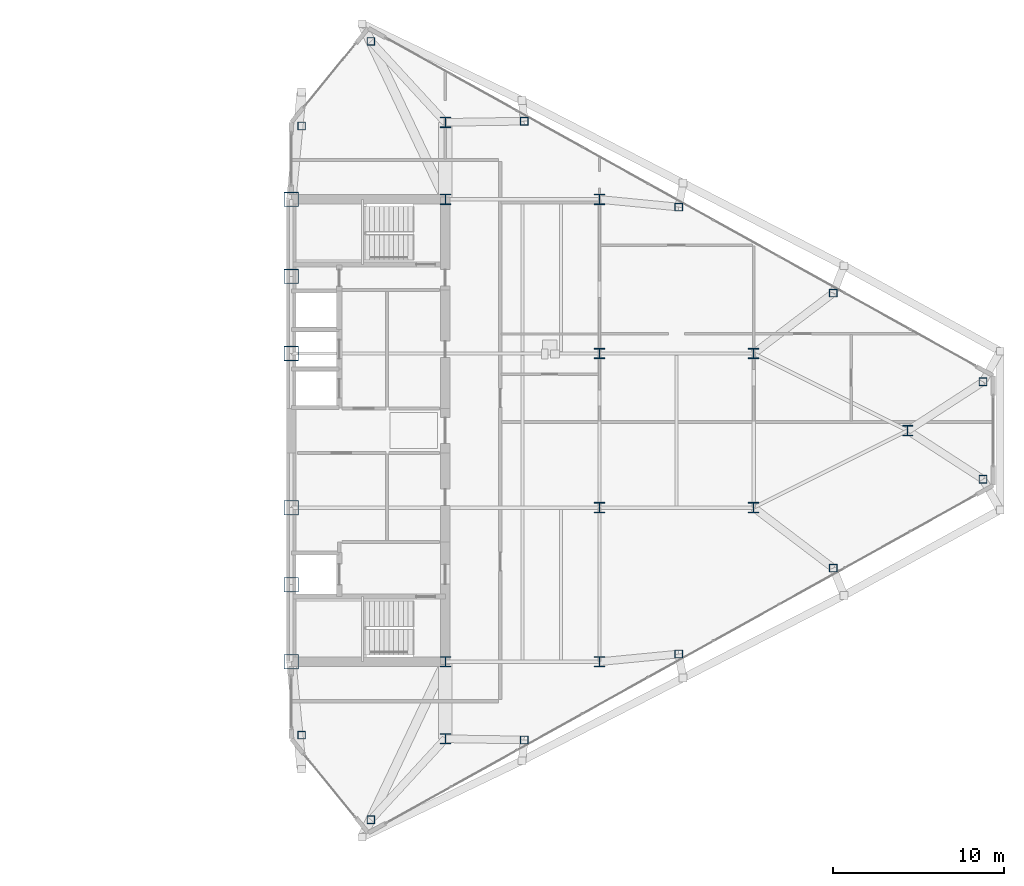
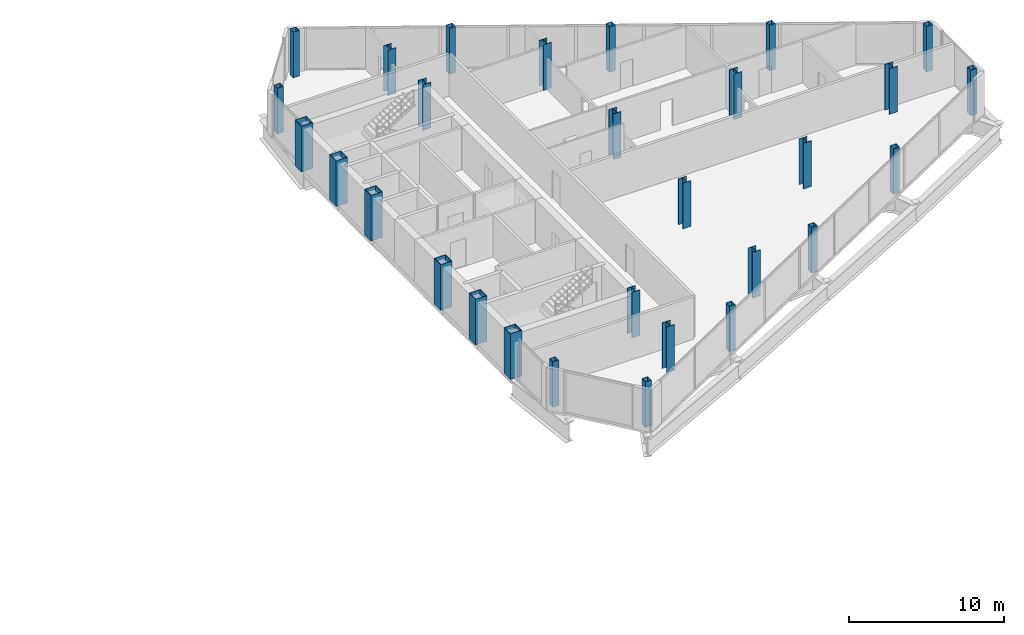
# One storey, part 2 of 28: 29 columns.
"""IFC4 building model written with IfcOpenShell, lengths in metres."""

import ifcopenshell
import ifcopenshell.guid

model = None  # the IFC model being written
_history = None  # IfcOwnerHistory: only IFC2X3 demands one
_inside = {}  # id of a spatial element -> (the spatial element, [elements in it])
_under = {}  # id of a project, library or spatial element -> (it, [spatial elements below it])
_declared = {}  # id of a project -> (the project, [libraries it declares])
_typed = {}  # id of a type object -> (the type object, [elements of that type])
_made_of = {}  # id of a material, layer set ... -> (it, [elements and type objects made of it])


def new_model(schema):
    """Start an empty IFC model of exactly this schema.

    Asked for "IFC4X3", IfcOpenShell would pick the latest addendum, in which some entities
    have other attributes; the version numbers below select the first issue.
    IFC2X3 requires an IfcOwnerHistory on every rooted entity: one is made here for all.
    """
    global model, _history
    if schema == "IFC4X3":
        model = ifcopenshell.file(schema_version=(4, 3, 0, 0))
    else:
        model = ifcopenshell.file(schema=schema)
    _inside.clear()
    _under.clear()
    _declared.clear()
    _typed.clear()
    _made_of.clear()
    _history = None
    if model.schema == "IFC2X3":
        org = make("IfcOrganization", Name="unknown")
        user = make(
            "IfcPersonAndOrganization",
            ThePerson=make("IfcPerson", FamilyName="unknown"),
            TheOrganization=org,
        )
        app = make(
            "IfcApplication",
            ApplicationDeveloper=org,
            Version="unknown",
            ApplicationFullName="unknown",
            ApplicationIdentifier="unknown",
        )
        _history = make(
            "IfcOwnerHistory",
            OwningUser=user,
            OwningApplication=app,
            ChangeAction="ADDED",
            CreationDate=0,
        )
    return model


def make(cls, **values):
    """One entity of the class cls with the attributes given. An attribute that is None is left unset."""
    return model.create_entity(
        cls, **{name: value for name, value in values.items() if value is not None}
    )


def rooted(cls, **values):
    """An entity with a GlobalId (a new one), such as an element, a storey or a relation."""
    return make(cls, GlobalId=ifcopenshell.guid.new(), OwnerHistory=_history, **values)


def si_unit(unit_type, name, prefix=None):
    """IfcSIUnit, for example si_unit("LENGTHUNIT", "METRE", prefix="MILLI")."""
    return make("IfcSIUnit", UnitType=unit_type, Prefix=prefix, Name=name)


def assignment(units):
    """IfcUnitAssignment: the units of a project."""
    return None if units is None else make("IfcUnitAssignment", Units=units)


def point(xyz):
    """IfcCartesianPoint."""
    return None if xyz is None else make("IfcCartesianPoint", Coordinates=xyz)


def direction(xyz):
    """IfcDirection."""
    return None if xyz is None else make("IfcDirection", DirectionRatios=xyz)


def frame(location, z_axis=None, x_axis=None):
    """IfcAxis2Placement3D, a coordinate frame: its origin and axes. An axis left out is left unset."""
    return make(
        "IfcAxis2Placement3D",
        Location=point(location),
        Axis=direction(z_axis),
        RefDirection=direction(x_axis),
    )


def frame_2d(location, x_axis=None):
    """IfcAxis2Placement2D, a coordinate frame in the plane: its origin and x axis."""
    return make(
        "IfcAxis2Placement2D", Location=point(location), RefDirection=direction(x_axis)
    )


def origin():
    """The frame at (0, 0, 0) with its axes left unset."""
    return frame((0.0, 0.0, 0.0))


def origin_2d():
    """The frame at (0, 0) in the plane with its x axis left unset."""
    return frame_2d((0.0, 0.0))


def place(relative_to, where):
    """IfcLocalPlacement: puts the frame where relative to a parent placement (None: the world)."""
    return make(
        "IfcLocalPlacement", PlacementRelTo=relative_to, RelativePlacement=where
    )


def context(
    kind, dimensions, precision=None, world=None, true_north=None, identifier=None
):
    """IfcGeometricRepresentationContext, for example the 3D "Model" context."""
    return make(
        "IfcGeometricRepresentationContext",
        ContextIdentifier=identifier,
        ContextType=kind,
        CoordinateSpaceDimension=dimensions,
        Precision=precision,
        WorldCoordinateSystem=world,
        TrueNorth=true_north,
    )


def subcontext(parent, identifier, kind, view, scale=None):
    """IfcGeometricRepresentationSubContext, for example "Body" below "Model"."""
    return make(
        "IfcGeometricRepresentationSubContext",
        ContextIdentifier=identifier,
        ContextType=kind,
        ParentContext=parent,
        TargetScale=scale,
        TargetView=view,
    )


def project(units=None, contexts=None):
    """IfcProject with its units and contexts."""
    return rooted(
        "IfcProject",
        Name="project",
        RepresentationContexts=contexts,
        UnitsInContext=assignment(units),
    )


def spatial(cls, under=None, at=None, **own):
    """A site, building, storey or space (cls), placed at a placement, below another one or the project."""
    s = rooted(cls, ObjectPlacement=at, **own)
    if under is not None:
        _under.setdefault(under.id(), (under, []))[1].append(s)
    return s


def profile(cls, at=None, kind="AREA", **sizes):
    """A parametric profile (cls). Its sizes go by their IFC names, for example OverallWidth=200.0."""
    return make(cls, ProfileType=kind, Position=at, **sizes)


def hollow_rectangle(**sizes):
    """IfcRectangleHollowProfileDef."""
    return profile("IfcRectangleHollowProfileDef", **sizes)


def i_section(**sizes):
    """IfcIShapeProfileDef."""
    return profile("IfcIShapeProfileDef", **sizes)


def extrude(swept, where, along, depth):
    """IfcExtrudedAreaSolid: the profile swept, set in the frame where, extruded along a direction by depth."""
    return make(
        "IfcExtrudedAreaSolid",
        SweptArea=swept,
        Position=where,
        ExtrudedDirection=direction(along),
        Depth=depth,
    )


def shape(context_of_items, identifier, shape_type, items):
    """IfcShapeRepresentation: the items that make up one representation, for example the "Body"."""
    return make(
        "IfcShapeRepresentation",
        ContextOfItems=context_of_items,
        RepresentationIdentifier=identifier,
        RepresentationType=shape_type,
        Items=items,
    )


def source(mapping_origin, context_of_items, identifier, shape_type, items):
    """IfcRepresentationMap: a shape defined once, which mapped items show again and again."""
    return make(
        "IfcRepresentationMap",
        MappingOrigin=mapping_origin,
        MappedRepresentation=shape(context_of_items, identifier, shape_type, items),
    )


def transform(
    local_origin,
    x_axis=None,
    y_axis=None,
    z_axis=None,
    scale=None,
    scale2=None,
    scale3=None,
    uniform=True,
):
    """IfcCartesianTransformationOperator3D, or its non-uniform kind. x_axis, y_axis, z_axis: its Axis1, 2, 3."""
    if uniform:
        return make(
            "IfcCartesianTransformationOperator3D",
            Axis1=direction(x_axis),
            Axis2=direction(y_axis),
            LocalOrigin=point(local_origin),
            Scale=scale,
            Axis3=direction(z_axis),
        )
    return make(
        "IfcCartesianTransformationOperator3DnonUniform",
        Axis1=direction(x_axis),
        Axis2=direction(y_axis),
        LocalOrigin=point(local_origin),
        Scale=scale,
        Axis3=direction(z_axis),
        Scale2=scale2,
        Scale3=scale3,
    )


def mapped(mapping_source, mapping_target):
    """IfcMappedItem: shows the shape of a source again, moved by a transform."""
    return make(
        "IfcMappedItem", MappingSource=mapping_source, MappingTarget=mapping_target
    )


def material(Name=None, Category=None):
    """IfcMaterial."""
    return make("IfcMaterial", Name=Name, Category=Category)


def material_profile(
    of_material, cross_section, Name=None, Category=None, Priority=None
):
    """IfcMaterialProfile: a cross section and its material."""
    return make(
        "IfcMaterialProfile",
        Name=Name,
        Material=of_material,
        Profile=cross_section,
        Priority=Priority,
        Category=Category,
    )


def profile_set(profiles, Name=None, composite=None):
    """IfcMaterialProfileSet."""
    return make(
        "IfcMaterialProfileSet",
        Name=Name,
        MaterialProfiles=profiles,
        CompositeProfile=composite,
    )


def made_of(thing, what):
    """Note that an element or type object is made of a material, layer set ...; save() writes the relation."""
    if what is not None:
        _made_of.setdefault(what.id(), (what, []))[1].append(thing)
    return thing


def type_object(cls, material=None, **own):
    """A type object (cls), such as IfcWallType, which elements share."""
    return made_of(rooted(cls, **own), material)


def type_shapes(of_type, sources):
    """Give a type object the sources (RepresentationMaps) that its elements show as mapped items."""
    of_type.RepresentationMaps = sources


def element(
    cls,
    number,
    at=None,
    inside=None,
    cuts=None,
    type_object=None,
    material=None,
    context=None,
    identifier="Body",
    shape_type=None,
    held_by="IfcProductDefinitionShape",
    body=None,
    shapes=None,
    **own,
):
    """One element of the class cls, such as IfcWall. Its Tag is "e" and its number.

    at: its placement. inside: the storey or other place that contains it. cuts: it is an
    opening in that element (IfcRelVoidsElement). A single representation is given by context,
    identifier, shape_type and body (its items); several are given by shapes. held_by: the class
    of the entity that holds the representations. save() writes the other relations.
    """
    e = rooted(cls, Tag="e%d" % number, ObjectPlacement=at, **own)
    if body is not None:
        shapes = [shape(context, identifier, shape_type, body)]
    if shapes is not None:
        e.Representation = make(held_by, Representations=shapes)
    if inside is not None:
        _inside.setdefault(inside.id(), (inside, []))[1].append(e)
    if cuts is not None:
        rooted(
            "IfcRelVoidsElement", RelatingBuildingElement=cuts, RelatedOpeningElement=e
        )
    if type_object is not None:
        _typed.setdefault(type_object.id(), (type_object, []))[1].append(e)
    return made_of(e, material)


def aggregate(whole, parts):
    """IfcRelAggregates: a whole, such as a stair, and the parts it consists of."""
    return rooted("IfcRelAggregates", RelatingObject=whole, RelatedObjects=parts)


def save(model, path):
    """Write the relations noted so far, then the file.

    IfcRelAggregates (storeys below a building ...), IfcRelContainedInSpatialStructure (elements
    in a storey), IfcRelDefinesByType, IfcRelAssociatesMaterial and IfcRelDeclares: one each for
    every whole, place, type object, material and project.
    """
    for whole, parts in _under.values():
        aggregate(whole, parts)
    for where, things in _inside.values():
        rooted(
            "IfcRelContainedInSpatialStructure",
            RelatedElements=things,
            RelatingStructure=where,
        )
    for kind, things in _typed.values():
        rooted("IfcRelDefinesByType", RelatedObjects=things, RelatingType=kind)
    for what, things in _made_of.values():
        rooted("IfcRelAssociatesMaterial", RelatedObjects=things, RelatingMaterial=what)
    for by, libraries in _declared.values():
        rooted("IfcRelDeclares", RelatingContext=by, RelatedDefinitions=libraries)
    model.write(path)


model = new_model("IFC4")

# Units and contexts
model_context = context("Model", 3, precision=1e-05, world=origin(), true_north=direction((0.0, 1.0)))
body_context = subcontext(model_context, "Body", "Model", "MODEL_VIEW")
ifc_project = project(units=[si_unit("LENGTHUNIT", "METRE"), si_unit("AREAUNIT", "SQUARE_METRE"), si_unit("VOLUMEUNIT", "CUBIC_METRE"), si_unit("PLANEANGLEUNIT", "RADIAN"), si_unit("MASSUNIT", "GRAM", prefix="KILO")], contexts=[model_context])

# Site, building, storey
site_placement = place(None, origin())
site = spatial("IfcSite", under=ifc_project, at=site_placement, CompositionType="ELEMENT")
building_placement = place(site_placement, origin())
building = spatial("IfcBuilding", under=site, at=building_placement, Name="Seokmaru Belvedere", CompositionType="ELEMENT")
storey_placement = place(building_placement, frame((0.0, 0.0, 158.39990234375)))
storey = spatial("IfcBuildingStorey", under=building, at=storey_placement, Name="L42", CompositionType="ELEMENT", Elevation=158.39990234375)

# Columns
ifc_material_1 = material(Name="Steel SM355 (355 MPa)", Category="steel")
ifc_material_profile_1 = material_profile(ifc_material_1, hollow_rectangle(XDim=0.449951171875, YDim=0.449951171875, WallThickness=0.01806640625, at=origin_2d()), Name="HSS-450x450x18")
ifc_profile_set_1 = profile_set([ifc_material_profile_1], Name="Steel SM355 (355 MPa)")
column_type_1 = type_object("IfcColumnType", Name="Perimeter Facet Column HSS-450", PredefinedType="COLUMN", material=ifc_profile_set_1)
shared_shape_1 = source(origin(), body_context, "Body", "SweptSolid", [
    extrude(hollow_rectangle(XDim=0.449951171875, YDim=0.449951171875, WallThickness=0.01806640625, at=origin_2d()), origin(), (0.0, 0.0, 1.0), 3.60009765625),
])
type_shapes(column_type_1, [shared_shape_1])
for number, where, z_axis, x_axis, name in (
    (1, (32.146728515625, -22.731689453125, 0.0), (0.0, 0.0, 1.0), (1.0, 0.0, 0.0), "L42 Column EF1"),
    (2, (67.89990234375, -2.84716796875, 0.0), (0.0, 0.0, 1.0), (1.0, 0.0, 0.0), "L42 Column EF2"),
    (3, (67.89990234375, 2.84716796875, 0.0), (0.0, 0.0, 1.0), (1.0, 0.0, 0.0), "L42 Column EF3"),
    (4, (32.146728515625, 22.731689453125, 0.0), (0.0, 0.0, 1.0), (1.0, 0.0, 0.0), "L42 Column EF4"),
    (5, (28.10009765625, 17.785888671875, 0.0), (0.0, 0.0, 1.0), (1.0, 0.0, 0.0), "L42 Column EF5"),
    (6, (28.10009765625, -17.785888671875, 0.0), (0.0, 0.0, 1.0), (1.0, 0.0, 0.0), "L42 Column EF6"),
    (7, (41.103759765625, -18.07080078125, 0.0), (0.0, 0.0, 1.0), (1.0, 0.0, 0.0), "L42 Column EFLK_S1"),
    (8, (50.129150390625, -13.051025390625, 0.0), (0.0, 0.0, 1.0), (1.0, 0.0, 0.0), "L42 Column EFLK_S2"),
    (9, (59.154541015625, -8.031494140625, 0.0), (0.0, 0.0, 1.0), (1.0, 0.0, 0.0), "L42 Column EFLK_S3"),
    (10, (41.103759765625, 18.07080078125, 0.0), (0.0, 0.0, 1.0), (1.0, 0.0, 0.0), "L42 Column EFLK_N1"),
    (11, (50.129150390625, 13.051025390625, 0.0), (0.0, 0.0, 1.0), (1.0, 0.0, 0.0), "L42 Column EFLK_N2"),
    (12, (59.154541015625, 8.031494140625, 0.0), (0.0, 0.0, 1.0), (1.0, 0.0, 0.0), "L42 Column EFLK_N3"),
):
    element("IfcColumn", number, at=place(storey_placement, frame(where, z_axis=z_axis, x_axis=x_axis)), inside=storey, type_object=column_type_1, Name=name, PredefinedType="COLUMN", context=body_context, shape_type="MappedRepresentation", body=[
        mapped(shared_shape_1, transform((0.0, 0.0, 0.0), scale=1.0)),
    ])
ifc_material_2 = material(Name="Steel HSA650 (650 MPa)", Category="steel")
ifc_material_profile_2 = material_profile(ifc_material_2, hollow_rectangle(XDim=0.85009765625, YDim=0.85009765625, WallThickness=0.035888671875, at=origin_2d()), Name="BOX-850x850x36")
ifc_profile_set_2 = profile_set([ifc_material_profile_2], Name="Steel HSA650 (650 MPa)")
column_type_2 = type_object("IfcColumnType", Name="Portal Spine Column BOX-850", PredefinedType="COLUMN", material=ifc_profile_set_2)
shared_shape_2 = source(origin(), body_context, "Body", "SweptSolid", [
    extrude(hollow_rectangle(XDim=0.85009765625, YDim=0.85009765625, WallThickness=0.035888671875, at=origin_2d()), origin(), (0.0, 0.0, 1.0), 3.60009765625),
])
type_shapes(column_type_2, [shared_shape_2])
for number, where, z_axis, x_axis, name in (
    (13, (27.5, -13.5, 0.0), (0.0, 0.0, 1.0), (1.0, 0.0, 0.0), "L42 Column ES1"),
    (14, (27.5, -9.0, 0.0), (0.0, 0.0, 1.0), (1.0, 0.0, 0.0), "L42 Column ES2"),
    (15, (27.5, -4.5, 0.0), (0.0, 0.0, 1.0), (1.0, 0.0, 0.0), "L42 Column ES3"),
    (16, (27.5, 4.5, 0.0), (0.0, 0.0, 1.0), (1.0, 0.0, 0.0), "L42 Column ES4"),
    (17, (27.5, 9.0, 0.0), (0.0, 0.0, 1.0), (1.0, 0.0, 0.0), "L42 Column ES5"),
    (18, (27.5, 13.5, 0.0), (0.0, 0.0, 1.0), (1.0, 0.0, 0.0), "L42 Column ES6"),
):
    element("IfcColumn", number, at=place(storey_placement, frame(where, z_axis=z_axis, x_axis=x_axis)), inside=storey, type_object=column_type_2, Name=name, PredefinedType="COLUMN", context=body_context, shape_type="MappedRepresentation", body=[
        mapped(shared_shape_2, transform((0.0, 0.0, 0.0), scale=1.0)),
    ])
ifc_material_profile_3 = material_profile(ifc_material_1, i_section(OverallWidth=0.60009765625, OverallDepth=0.60009765625, WebThickness=0.02490234375, FlangeThickness=0.0400390625, at=origin_2d()), Name="H-600x600x25x40")
ifc_profile_set_3 = profile_set([ifc_material_profile_3], Name="Steel SM355 (355 MPa)")
column_type_3 = type_object("IfcColumnType", Name="Upper-Mid Interior Column H-600", PredefinedType="COLUMN", material=ifc_profile_set_3)
shared_shape_3 = source(origin(), body_context, "Body", "SweptSolid", [
    extrude(i_section(OverallWidth=0.60009765625, OverallDepth=0.60009765625, WebThickness=0.02490234375, FlangeThickness=0.0400390625, at=origin_2d()), origin(), (0.0, 0.0, 1.0), 3.60009765625),
])
type_shapes(column_type_3, [shared_shape_3])
for number, where, z_axis, x_axis, name in (
    (19, (36.5, -18.0, 0.0), (0.0, 0.0, 1.0), (1.0, 0.0, 0.0), "L42 Column EC1"),
    (20, (36.5, -13.5, 0.0), (0.0, 0.0, 1.0), (1.0, 0.0, 0.0), "L42 Column EC2"),
    (21, (36.5, 13.5, 0.0), (0.0, 0.0, 1.0), (1.0, 0.0, 0.0), "L42 Column EC3"),
    (22, (36.5, 18.0, 0.0), (0.0, 0.0, 1.0), (1.0, 0.0, 0.0), "L42 Column EC4"),
    (23, (45.5, -13.5, 0.0), (0.0, 0.0, 1.0), (1.0, 0.0, 0.0), "L42 Column EG5_1"),
    (24, (45.5, -4.5, 0.0), (0.0, 0.0, 1.0), (1.0, 0.0, 0.0), "L42 Column EG5_2"),
    (25, (45.5, 4.5, 0.0), (0.0, 0.0, 1.0), (1.0, 0.0, 0.0), "L42 Column EG5_3"),
    (26, (45.5, 13.5, 0.0), (0.0, 0.0, 1.0), (1.0, 0.0, 0.0), "L42 Column EG5_4"),
    (27, (54.5, -4.5, 0.0), (0.0, 0.0, 1.0), (1.0, 0.0, 0.0), "L42 Column EG4P_1"),
    (28, (54.5, 4.5, 0.0), (0.0, 0.0, 1.0), (1.0, 0.0, 0.0), "L42 Column EG4P_2"),
    (29, (63.5, 0.0, 0.0), (0.0, 0.0, 1.0), (1.0, 0.0, 0.0), "L42 Column EG3P_1"),
):
    element("IfcColumn", number, at=place(storey_placement, frame(where, z_axis=z_axis, x_axis=x_axis)), inside=storey, type_object=column_type_3, Name=name, PredefinedType="COLUMN", context=body_context, shape_type="MappedRepresentation", body=[
        mapped(shared_shape_3, transform((0.0, 0.0, 0.0), scale=1.0)),
    ])

save(model, "model.ifc")
